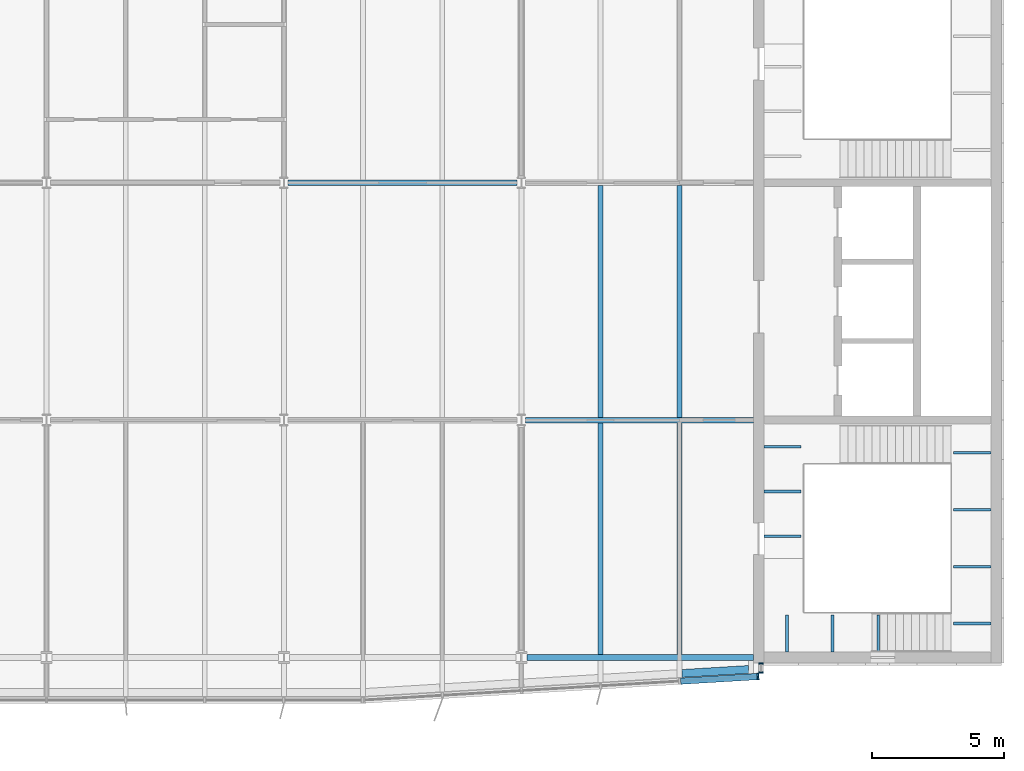
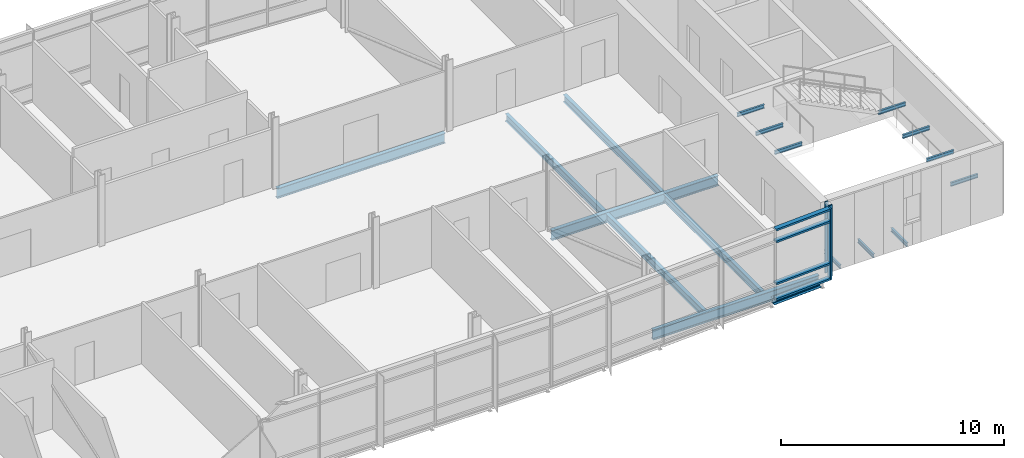
# One storey, part 6 of 21: 18 beams, 7 members, 2 elements without a shape of their own.
"""IFC4 building model written with IfcOpenShell, lengths in metres."""

from ifc_helpers import new_model, si_unit, direction, frame, origin, origin_2d, place, context, subcontext, project, spatial, rectangle, i_section, extrude, material, material_profile, profile_set, type_object, element, aggregate, save


model = new_model("IFC4")

# Units and contexts
model_context = context("Model", 3, precision=1e-05, world=origin(), true_north=direction((0.0, 1.0)))
body_context = subcontext(model_context, "Body", "Model", "MODEL_VIEW")
ifc_project = project(units=[si_unit("LENGTHUNIT", "METRE"), si_unit("AREAUNIT", "SQUARE_METRE"), si_unit("VOLUMEUNIT", "CUBIC_METRE"), si_unit("PLANEANGLEUNIT", "RADIAN"), si_unit("MASSUNIT", "GRAM", prefix="KILO")], contexts=[model_context])

# Site, building, storey
site_placement = place(None, origin())
site = spatial("IfcSite", under=ifc_project, at=site_placement, CompositionType="ELEMENT")
building_placement = place(site_placement, origin())
building = spatial("IfcBuilding", under=site, at=building_placement, Name="Azimuth Sports and Learning Centre", CompositionType="ELEMENT")
storey_placement = place(building_placement, frame((0.0, 0.0, 48.0)))
storey = spatial("IfcBuildingStorey", under=building, at=storey_placement, Name="L10", CompositionType="ELEMENT", Elevation=48.0)

# Beams
ifc_material_1 = material(Name="Steel S355", Category="steel")
ifc_material_profile_1 = material_profile(ifc_material_1, i_section(OverallWidth=0.10009765625, OverallDepth=0.199951171875, WebThickness=0.005615234375, FlangeThickness=0.008544921875, FilletRadius=0.011962890625, at=origin_2d()), Name="IPE 200")
ifc_profile_set_1 = profile_set([ifc_material_profile_1], Name="Steel S355")
beam_type_1 = type_object("IfcBeamType", Name="Beam IPE 200", PredefinedType="BEAM", material=ifc_profile_set_1)
for number, where, z_axis, x_axis, name in (
    (1, (109.0732421875, 90.199951171875, -0.300048828125), (0.0, 1.0, 0.0), (-1.0, 0.0, 0.0), "Landing bracket E1 L10 455"),
    (2, (110.800048828125, 90.199951171875, -0.300048828125), (0.0, 1.0, 0.0), (-1.0, 0.0, 0.0), "Landing bracket E1 L10 456"),
    (3, (112.526611328125, 90.199951171875, -0.300048828125), (0.0, 1.0, 0.0), (-1.0, 0.0, 0.0), "Landing bracket E1 L10 457"),
    (4, (116.800048828125, 91.288818359375, 1.35009765625), (-1.0, 0.0, 0.0), (0.0, -1.0, 0.0), "Landing bracket E1 L10 458"),
    (5, (116.800048828125, 93.4462890625, 1.35009765625), (-1.0, 0.0, 0.0), (0.0, -1.0, 0.0), "Landing bracket E1 L10 459"),
    (6, (116.800048828125, 95.603759765625, 1.35009765625), (-1.0, 0.0, 0.0), (0.0, -1.0, 0.0), "Landing bracket E1 L10 460"),
    (7, (116.800048828125, 97.76123046875, 1.35009765625), (-1.0, 0.0, 0.0), (0.0, -1.0, 0.0), "Landing bracket E1 L10 461"),
    (8, (108.199951171875, 94.598388671875, 3.60009765625), (1.0, 0.0, 0.0), (0.0, 1.0, 0.0), "Landing bracket E1 L10 462"),
    (9, (108.199951171875, 96.294921875, 3.60009765625), (1.0, 0.0, 0.0), (0.0, 1.0, 0.0), "Landing bracket E1 L10 463"),
    (10, (108.199951171875, 97.99169921875, 3.60009765625), (1.0, 0.0, 0.0), (0.0, 1.0, 0.0), "Landing bracket E1 L10 464"),
):
    element("IfcBeam", number, at=place(storey_placement, frame(where, z_axis=z_axis, x_axis=x_axis)), inside=storey, type_object=beam_type_1, Name=name, PredefinedType="BEAM", context=body_context, shape_type="SweptSolid", body=[
        extrude(i_section(OverallWidth=0.10009765625, OverallDepth=0.199951171875, WebThickness=0.005615234375, FlangeThickness=0.008544921875, FilletRadius=0.011962890625, at=origin_2d()), origin(), (0.0, 0.0, 1.0), 1.41015625),
    ])
ifc_material_2 = material(Name="Steel S355", Category="steel")
ifc_material_profile_2 = material_profile(ifc_material_2, i_section(OverallWidth=0.2099609375, OverallDepth=0.550048828125, WebThickness=0.010986328125, FlangeThickness=0.01708984375, FilletRadius=0.02392578125, at=origin_2d()), Name="IPE 550")
ifc_profile_set_2 = profile_set([ifc_material_profile_2], Name="Steel S355")
beam_type_2 = type_object("IfcBeamType", Name="Beam IPE 550", PredefinedType="BEAM", material=ifc_profile_set_2)
beam_1_placement = place(storey_placement, frame((99.208984375, 90.0, -0.405029296875), z_axis=(1.0, 0.0, 0.0), x_axis=(0.0, 1.0, 0.0)))
element("IfcBeam", 11, at=beam_1_placement, inside=storey, type_object=beam_type_2, Name="Tower girder L10", PredefinedType="BEAM", context=body_context, shape_type="SweptSolid", body=[
    extrude(i_section(OverallWidth=0.2099609375, OverallDepth=0.550048828125, WebThickness=0.010986328125, FlangeThickness=0.01708984375, FilletRadius=0.02392578125, at=origin_2d()), origin(), (0.0, 0.0, 1.0), 8.591064453125),
])
beam_2_placement = place(storey_placement, frame((99.153564453125, 99.0, -0.405029296875), z_axis=(1.0, 0.0, 0.0), x_axis=(0.0, 1.0, 0.0)))
element("IfcBeam", 12, at=beam_2_placement, inside=storey, type_object=beam_type_2, Name="Tower girder L10", PredefinedType="BEAM", context=body_context, shape_type="SweptSolid", body=[
    extrude(i_section(OverallWidth=0.2099609375, OverallDepth=0.550048828125, WebThickness=0.010986328125, FlangeThickness=0.01708984375, FilletRadius=0.02392578125, at=origin_2d()), origin(), (0.0, 0.0, 1.0), 8.646484375),
])
beam_3_placement = place(storey_placement, frame((90.153564453125, 108.0, -0.405029296875), z_axis=(1.0, 0.0, 0.0), x_axis=(0.0, 1.0, 0.0)))
element("IfcBeam", 13, at=beam_3_placement, inside=storey, type_object=beam_type_2, Name="Tower girder L10", PredefinedType="BEAM", context=body_context, shape_type="SweptSolid", body=[
    extrude(i_section(OverallWidth=0.2099609375, OverallDepth=0.550048828125, WebThickness=0.010986328125, FlangeThickness=0.01708984375, FilletRadius=0.02392578125, at=origin_2d()), origin(), (0.0, 0.0, 1.0), 8.69287109375),
])
ifc_material_3 = material(Name="Steel S355", Category="steel")
ifc_material_profile_3 = material_profile(ifc_material_3, i_section(OverallWidth=0.300048828125, OverallDepth=0.2900390625, WebThickness=0.008544921875, FlangeThickness=0.013916015625, FilletRadius=0.027099609375, at=origin_2d()), Name="HEA 300")
ifc_profile_set_3 = profile_set([ifc_material_profile_3], Name="Steel S355")
beam_type_3 = type_object("IfcBeamType", Name="Edge beam HEA 300", PredefinedType="SPANDREL", material=ifc_profile_set_3)
beam_4_placement = place(storey_placement, frame((105.090087890625, 89.3955078125, -0.27490234375), z_axis=(0.998209334468, 0.059817427068, 0.0), x_axis=(-0.059817427068, 0.998209334468, 0.0)))
element("IfcBeam", 14, at=beam_4_placement, inside=storey, type_object=beam_type_3, Name="Tower edge beam", PredefinedType="SPANDREL", context=body_context, shape_type="SweptSolid", body=[
    extrude(i_section(OverallWidth=0.300048828125, OverallDepth=0.2900390625, WebThickness=0.008544921875, FlangeThickness=0.013916015625, FilletRadius=0.027099609375, at=origin_2d()), origin(), (0.0, 0.0, 1.0), 2.53466796875),
])
ifc_material_4 = material(Name="Steel S355", Category="steel")
ifc_material_profile_4 = material_profile(ifc_material_4, i_section(OverallWidth=0.179931640625, OverallDepth=0.39990234375, WebThickness=0.008544921875, FlangeThickness=0.013427734375, FilletRadius=0.02099609375, at=origin_2d()), Name="IPE 400")
ifc_profile_set_4 = profile_set([ifc_material_profile_4], Name="Steel S355")
beam_type_4 = type_object("IfcBeamType", Name="Joist IPE 400", PredefinedType="JOIST", material=ifc_profile_set_4)
for number, where, z_axis, x_axis, name in (
    (15, (102.0, 90.10498046875, -0.330078125), (0.0, 1.0, 0.0), (-1.0, 0.0, 0.0), "Tower joist"),
    (16, (102.0, 99.10498046875, -0.330078125), (0.0, 1.0, 0.0), (-1.0, 0.0, 0.0), "Tower joist"),
    (17, (105.0, 90.10498046875, -0.330078125), (0.0, 1.0, 0.0), (-1.0, 0.0, 0.0), "Tower joist"),
    (18, (105.0, 99.10498046875, -0.330078125), (0.0, 1.0, 0.0), (-1.0, 0.0, 0.0), "Tower joist"),
):
    element("IfcBeam", number, at=place(storey_placement, frame(where, z_axis=z_axis, x_axis=x_axis)), inside=storey, type_object=beam_type_4, Name=name, PredefinedType="JOIST", context=body_context, shape_type="SweptSolid", body=[
        extrude(i_section(OverallWidth=0.179931640625, OverallDepth=0.39990234375, WebThickness=0.008544921875, FlangeThickness=0.013427734375, FilletRadius=0.02099609375, at=origin_2d()), origin(), (0.0, 0.0, 1.0), 8.7900390625),
    ])

# Curtain wall, members
ifc_material_5 = material(Name="Aluminium and glass", Category="aluminium")
curtain_wall_type_1 = type_object("IfcCurtainWallType", Name="Curtain wall tower return 180", PredefinedType="NOTDEFINED", material=ifc_material_5)
curtain_wall_1_placement = place(storey_placement, origin())
curtain_wall_1 = element("IfcCurtainWall", 19, at=curtain_wall_1_placement, inside=storey, type_object=curtain_wall_type_1, Name="Curtain wall CW10-005", PredefinedType="NOTDEFINED")
ifc_material_6 = material(Name="Aluminium", Category="aluminium")
ifc_material_profile_5 = material_profile(ifc_material_6, rectangle(XDim=0.179931640625, YDim=0.06005859375, at=origin_2d()), Name="Mullion 60x180")
ifc_profile_set_5 = profile_set([ifc_material_profile_5], Name="Aluminium")
member_type_1 = type_object("IfcMemberType", Name="Mullion 60x180", PredefinedType="MULLION", material=ifc_profile_set_5)
member_1_placement = place(storey_placement, frame((108.090087890625, 89.429931640625, 0.0), z_axis=(0.0, 0.0, 1.0), x_axis=(-1.0, 0.0, 0.0)))
member_1 = element("IfcMember", 20, at=member_1_placement, type_object=member_type_1, Name="CW10-005 mullion 1", PredefinedType="MULLION", context=body_context, shape_type="SweptSolid", body=[
    extrude(rectangle(XDim=0.179931640625, YDim=0.06005859375, at=origin_2d()), origin(), (0.0, 0.0, 1.0), 3.89990234375),
])
member_2_placement = place(storey_placement, frame((108.090087890625, 89.77001953125, 0.0), z_axis=(0.0, 0.0, 1.0), x_axis=(-1.0, 0.0, 0.0)))
member_2 = element("IfcMember", 21, at=member_2_placement, type_object=member_type_1, Name="CW10-005 mullion 2", PredefinedType="MULLION", context=body_context, shape_type="SweptSolid", body=[
    extrude(rectangle(XDim=0.179931640625, YDim=0.06005859375, at=origin_2d()), origin(), (0.0, 0.0, 1.0), 3.89990234375),
])
aggregate(curtain_wall_1, [member_1, member_2])

ifc_material_7 = material(Name="Aluminium and glass", Category="aluminium")
curtain_wall_type_2 = type_object("IfcCurtainWallType", Name="Curtain wall tower south 240", PredefinedType="NOTDEFINED", material=ifc_material_7)
curtain_wall_2_placement = place(storey_placement, origin())
curtain_wall_2 = element("IfcCurtainWall", 22, at=curtain_wall_2_placement, inside=storey, type_object=curtain_wall_type_2, Name="Curtain wall CW10-004", PredefinedType="NOTDEFINED")
ifc_material_8 = material(Name="Aluminium", Category="aluminium")
ifc_material_profile_6 = material_profile(ifc_material_8, rectangle(XDim=0.239990234375, YDim=0.070068359375, at=origin_2d()), Name="Mullion 70x240")
ifc_profile_set_6 = profile_set([ifc_material_profile_6], Name="Aluminium")
member_type_2 = type_object("IfcMemberType", Name="Mullion 70x240", PredefinedType="MULLION", material=ifc_profile_set_6)
member_3_placement = place(storey_placement, frame((107.97216796875, 89.278076171875, 0.0), z_axis=(0.0, 0.0, 1.0), x_axis=(-0.059891991812, 0.998204863401, 0.0)))
member_3 = element("IfcMember", 23, at=member_3_placement, type_object=member_type_2, Name="CW10-004 mullion 6", PredefinedType="MULLION", context=body_context, shape_type="SweptSolid", body=[
    extrude(rectangle(XDim=0.239990234375, YDim=0.070068359375, at=origin_2d()), origin(), (0.0, 0.0, 1.0), 3.89990234375),
])
ifc_material_9 = material(Name="Aluminium", Category="aluminium")
ifc_material_profile_7 = material_profile(ifc_material_9, rectangle(XDim=0.239990234375, YDim=0.10009765625, at=origin_2d()), Name="Transom 100x240")
ifc_profile_set_7 = profile_set([ifc_material_profile_7], Name="Aluminium")
member_type_3 = type_object("IfcMemberType", Name="Transom 100x240", PredefinedType="USERDEFINED", material=ifc_profile_set_7)
member_4_placement = place(storey_placement, frame((105.042236328125, 89.102294921875, 0.050048828125), z_axis=(0.998202227529, 0.059935907067, 0.0), x_axis=(-0.059935907067, 0.998202227529, 0.0)))
member_4 = element("IfcMember", 24, at=member_4_placement, type_object=member_type_3, Name="CW10-004 transom 5.1", ObjectType="TRANSOM", PredefinedType="USERDEFINED", context=body_context, shape_type="SweptSolid", body=[
    extrude(rectangle(XDim=0.239990234375, YDim=0.10009765625, at=origin_2d()), origin(), (0.0, 0.0, 1.0), 2.900146484375),
])
member_5_placement = place(storey_placement, frame((105.042236328125, 89.102294921875, 0.89990234375), z_axis=(0.998202227529, 0.059935907067, 0.0), x_axis=(-0.059935907067, 0.998202227529, 0.0)))
member_5 = element("IfcMember", 25, at=member_5_placement, type_object=member_type_3, Name="CW10-004 transom 5.2", ObjectType="TRANSOM", PredefinedType="USERDEFINED", context=body_context, shape_type="SweptSolid", body=[
    extrude(rectangle(XDim=0.239990234375, YDim=0.10009765625, at=origin_2d()), origin(), (0.0, 0.0, 1.0), 2.900146484375),
])
member_6_placement = place(storey_placement, frame((105.042236328125, 89.102294921875, 3.199951171875), z_axis=(0.998202227529, 0.059935907067, 0.0), x_axis=(-0.059935907067, 0.998202227529, 0.0)))
member_6 = element("IfcMember", 26, at=member_6_placement, type_object=member_type_3, Name="CW10-004 transom 5.3", ObjectType="TRANSOM", PredefinedType="USERDEFINED", context=body_context, shape_type="SweptSolid", body=[
    extrude(rectangle(XDim=0.239990234375, YDim=0.10009765625, at=origin_2d()), origin(), (0.0, 0.0, 1.0), 2.900146484375),
])
member_7_placement = place(storey_placement, frame((105.042236328125, 89.102294921875, 3.85009765625), z_axis=(0.998202227529, 0.059935907067, 0.0), x_axis=(-0.059935907067, 0.998202227529, 0.0)))
member_7 = element("IfcMember", 27, at=member_7_placement, type_object=member_type_3, Name="CW10-004 transom 5.4", ObjectType="TRANSOM", PredefinedType="USERDEFINED", context=body_context, shape_type="SweptSolid", body=[
    extrude(rectangle(XDim=0.239990234375, YDim=0.10009765625, at=origin_2d()), origin(), (0.0, 0.0, 1.0), 2.900146484375),
])
aggregate(curtain_wall_2, [member_3, member_4, member_5, member_6, member_7])

save(model, "model.ifc")
